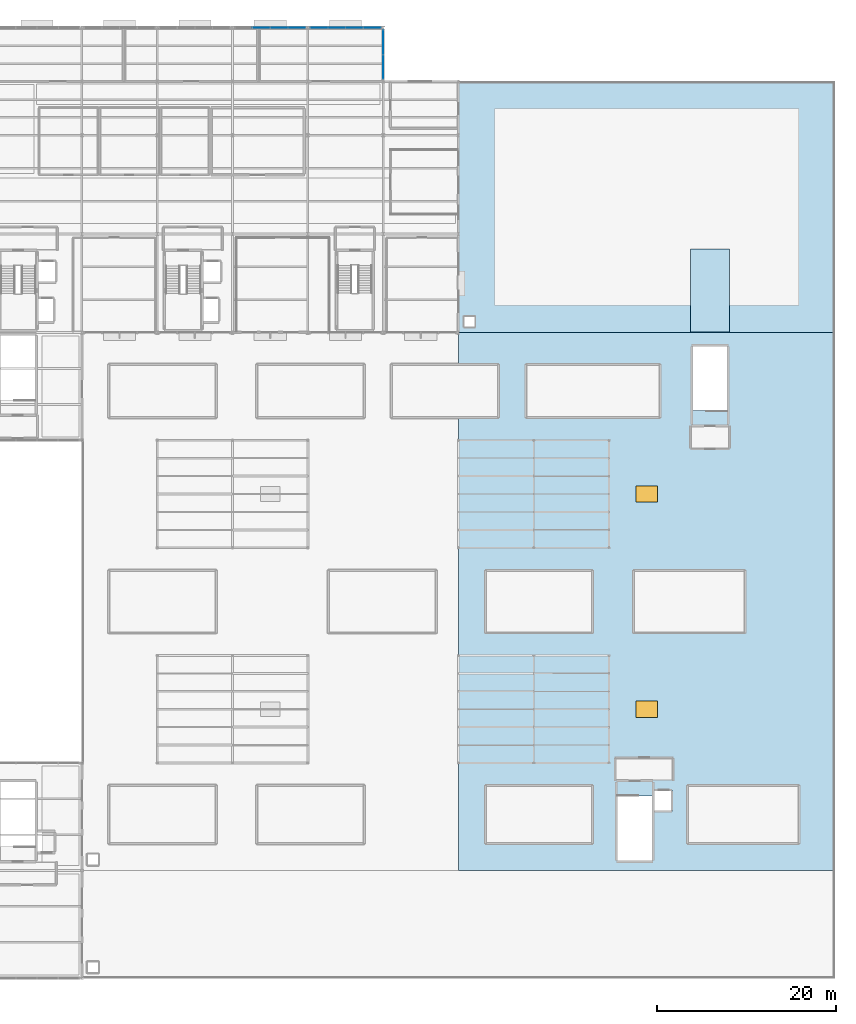
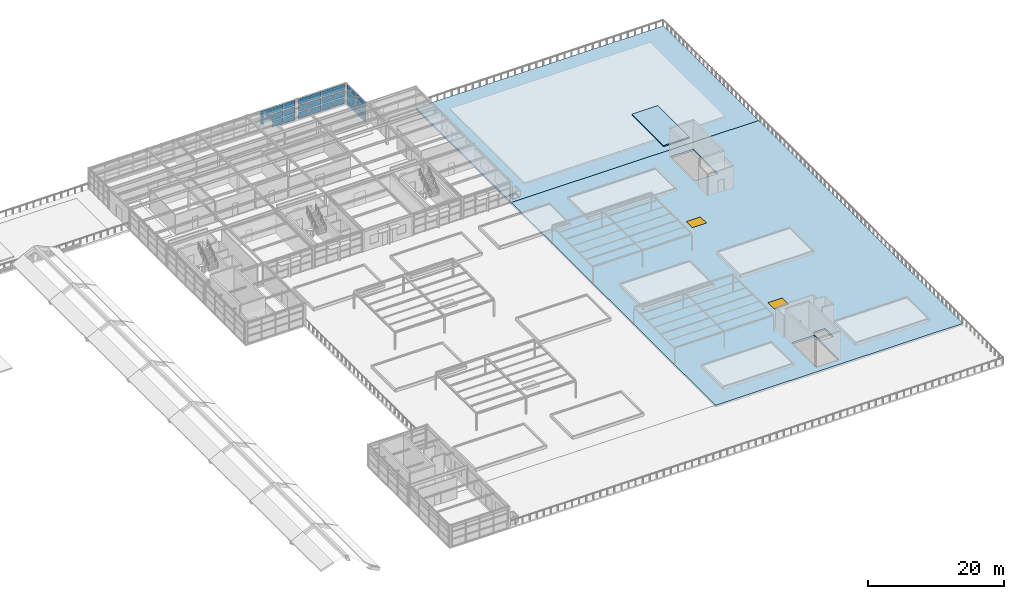
# One storey, part 35 of 49: 26 plates, 3 slabs, 2 windows, 2 openings, 3 elements without a shape of their own.
"""IFC4 building model written with IfcOpenShell, lengths in metres."""

from ifc_helpers import new_model, si_unit, direction, frame, origin, origin_2d, place, context, subcontext, project, spatial, polyline, rectangle, outline, extrude, material, layer, layer_set, type_object, element, fill, aggregate, save


model = new_model("IFC4")

# Units and contexts
model_context = context("Model", 3, precision=1e-05, world=origin(), true_north=direction((0.0, 1.0)))
body_context = subcontext(model_context, "Body", "Model", "MODEL_VIEW")
ifc_project = project(units=[si_unit("LENGTHUNIT", "METRE"), si_unit("AREAUNIT", "SQUARE_METRE"), si_unit("VOLUMEUNIT", "CUBIC_METRE"), si_unit("PLANEANGLEUNIT", "RADIAN"), si_unit("MASSUNIT", "GRAM", prefix="KILO")], contexts=[model_context])

# Site, building, storey
site_placement = place(None, origin())
site = spatial("IfcSite", under=ifc_project, at=site_placement, CompositionType="ELEMENT")
building_placement = place(site_placement, origin())
building = spatial("IfcBuilding", under=site, at=building_placement, Name="Sitalva Quay Ferry Terminal", CompositionType="ELEMENT")
storey_placement = place(building_placement, frame((0.0, 0.0, 10.199951171875)))
storey = spatial("IfcBuildingStorey", under=building, at=storey_placement, Name="L03", CompositionType="ELEMENT", Elevation=10.199951171875)

# Curtain wall, plates
ifc_material_1 = material(Name="Anodised Aluminium & Low-E Glazing", Category="aluminium")
ifc_layer_1 = layer(ifc_material_1, 0.159912109375)
ifc_layer_set_1 = layer_set([ifc_layer_1], Name="Anodised Aluminium & Low-E Glazing")
curtain_wall_type = type_object("IfcCurtainWallType", Name="CW_Office_Unitised", PredefinedType="USERDEFINED", material=ifc_layer_set_1)
curtain_wall_1_placement = place(storey_placement, origin())
curtain_wall_1 = element("IfcCurtainWall", 1, at=curtain_wall_1_placement, inside=storey, type_object=curtain_wall_type, Name="L03 forecourt east return glazing (CW-L03-131)", ObjectType="CURTAIN_WALL", PredefinedType="USERDEFINED")
ifc_material_2 = material(Name="Solar-Control Low-E Glazing", Category="glass")
ifc_layer_2 = layer(ifc_material_2, 0.031982421875)
ifc_layer_set_2 = layer_set([ifc_layer_2], Name="Solar-Control Low-E Glazing")
plate_type_1 = type_object("IfcPlateType", Name="Panel_Solar_IGU_32", PredefinedType="CURTAIN_PANEL", material=ifc_layer_set_2)
plate_1_placement = place(storey_placement, frame((117.60009765625, 107.6298828125, 0.150146484375), z_axis=(0.0, 0.0, 1.0), x_axis=(0.0, 1.0, 0.0)))
plate_1 = element("IfcPlate", 2, at=plate_1_placement, type_object=plate_type_1, Name="CW-L03-131-P0-0", PredefinedType="CURTAIN_PANEL", context=body_context, shape_type="SweptSolid", body=[
    extrude(rectangle(XDim=2.6650390625, YDim=0.031982421875, at=origin_2d()), origin(), (0.0, 0.0, 1.0), 1.13330078125),
])
plate_2_placement = place(storey_placement, frame((117.60009765625, 107.6298828125, 1.433349609375), z_axis=(0.0, 0.0, 1.0), x_axis=(0.0, 1.0, 0.0)))
plate_2 = element("IfcPlate", 3, at=plate_2_placement, type_object=plate_type_1, Name="CW-L03-131-P0-1", PredefinedType="CURTAIN_PANEL", context=body_context, shape_type="SweptSolid", body=[
    extrude(rectangle(XDim=2.6650390625, YDim=0.031982421875, at=origin_2d()), origin(), (0.0, 0.0, 1.0), 1.13330078125),
])
plate_3_placement = place(storey_placement, frame((117.60009765625, 107.6298828125, 2.716796875), z_axis=(0.0, 0.0, 1.0), x_axis=(0.0, 1.0, 0.0)))
plate_3 = element("IfcPlate", 4, at=plate_3_placement, type_object=plate_type_1, Name="CW-L03-131-P0-2", PredefinedType="CURTAIN_PANEL", context=body_context, shape_type="SweptSolid", body=[
    extrude(rectangle(XDim=2.6650390625, YDim=0.031982421875, at=origin_2d()), origin(), (0.0, 0.0, 1.0), 0.9833984375),
])
plate_4_placement = place(storey_placement, frame((117.60009765625, 110.3701171875, 0.150146484375), z_axis=(0.0, 0.0, 1.0), x_axis=(0.0, 1.0, 0.0)))
plate_4 = element("IfcPlate", 5, at=plate_4_placement, type_object=plate_type_1, Name="CW-L03-131-P1-0", PredefinedType="CURTAIN_PANEL", context=body_context, shape_type="SweptSolid", body=[
    extrude(rectangle(XDim=2.6650390625, YDim=0.031982421875, at=origin_2d()), origin(), (0.0, 0.0, 1.0), 1.13330078125),
])
plate_5_placement = place(storey_placement, frame((117.60009765625, 110.3701171875, 1.433349609375), z_axis=(0.0, 0.0, 1.0), x_axis=(0.0, 1.0, 0.0)))
plate_5 = element("IfcPlate", 6, at=plate_5_placement, type_object=plate_type_1, Name="CW-L03-131-P1-1", PredefinedType="CURTAIN_PANEL", context=body_context, shape_type="SweptSolid", body=[
    extrude(rectangle(XDim=2.6650390625, YDim=0.031982421875, at=origin_2d()), origin(), (0.0, 0.0, 1.0), 1.13330078125),
])
plate_6_placement = place(storey_placement, frame((117.60009765625, 110.3701171875, 2.716796875), z_axis=(0.0, 0.0, 1.0), x_axis=(0.0, 1.0, 0.0)))
plate_6 = element("IfcPlate", 7, at=plate_6_placement, type_object=plate_type_1, Name="CW-L03-131-P1-2", PredefinedType="CURTAIN_PANEL", context=body_context, shape_type="SweptSolid", body=[
    extrude(rectangle(XDim=2.6650390625, YDim=0.031982421875, at=origin_2d()), origin(), (0.0, 0.0, 1.0), 0.9833984375),
])
aggregate(curtain_wall_1, [plate_1, plate_2, plate_3, plate_4, plate_5, plate_6])

curtain_wall_2_placement = place(storey_placement, origin())
curtain_wall_2 = element("IfcCurtainWall", 8, at=curtain_wall_2_placement, inside=storey, type_object=curtain_wall_type, Name="L03 maritime admin north glazing (CW-L03-135)", ObjectType="CURTAIN_WALL", PredefinedType="USERDEFINED")
plate_7_placement = place(storey_placement, frame((104.014892578125, 112.0, 1.433349609375), z_axis=(0.0, 0.0, 1.0), x_axis=(1.0, 0.0, 0.0)))
plate_7 = element("IfcPlate", 9, at=plate_7_placement, type_object=plate_type_1, Name="CW-L03-135-P1-1", PredefinedType="CURTAIN_PANEL", context=body_context, shape_type="SweptSolid", body=[
    extrude(rectangle(XDim=1.89501953125, YDim=0.031982421875, at=origin_2d()), origin(), (0.0, 0.0, 1.0), 1.13330078125),
])
plate_8_placement = place(storey_placement, frame((104.014892578125, 112.0, 2.716796875), z_axis=(0.0, 0.0, 1.0), x_axis=(1.0, 0.0, 0.0)))
plate_8 = element("IfcPlate", 10, at=plate_8_placement, type_object=plate_type_1, Name="CW-L03-135-P1-2", PredefinedType="CURTAIN_PANEL", context=body_context, shape_type="SweptSolid", body=[
    extrude(rectangle(XDim=1.89501953125, YDim=0.031982421875, at=origin_2d()), origin(), (0.0, 0.0, 1.0), 0.9833984375),
])
plate_9_placement = place(storey_placement, frame((105.985107421875, 112.0, 1.433349609375), z_axis=(0.0, 0.0, 1.0), x_axis=(1.0, 0.0, 0.0)))
plate_9 = element("IfcPlate", 11, at=plate_9_placement, type_object=plate_type_1, Name="CW-L03-135-P2-1", PredefinedType="CURTAIN_PANEL", context=body_context, shape_type="SweptSolid", body=[
    extrude(rectangle(XDim=1.89501953125, YDim=0.031982421875, at=origin_2d()), origin(), (0.0, 0.0, 1.0), 1.13330078125),
])
plate_10_placement = place(storey_placement, frame((105.985107421875, 112.0, 2.716796875), z_axis=(0.0, 0.0, 1.0), x_axis=(1.0, 0.0, 0.0)))
plate_10 = element("IfcPlate", 12, at=plate_10_placement, type_object=plate_type_1, Name="CW-L03-135-P2-2", PredefinedType="CURTAIN_PANEL", context=body_context, shape_type="SweptSolid", body=[
    extrude(rectangle(XDim=1.89501953125, YDim=0.031982421875, at=origin_2d()), origin(), (0.0, 0.0, 1.0), 0.9833984375),
])
plate_11_placement = place(storey_placement, frame((107.955078125, 112.0, 1.433349609375), z_axis=(0.0, 0.0, 1.0), x_axis=(1.0, 0.0, 0.0)))
plate_11 = element("IfcPlate", 13, at=plate_11_placement, type_object=plate_type_1, Name="CW-L03-135-P3-1", PredefinedType="CURTAIN_PANEL", context=body_context, shape_type="SweptSolid", body=[
    extrude(rectangle(XDim=1.89501953125, YDim=0.031982421875, at=origin_2d()), origin(), (0.0, 0.0, 1.0), 1.13330078125),
])
plate_12_placement = place(storey_placement, frame((107.955078125, 112.0, 2.716796875), z_axis=(0.0, 0.0, 1.0), x_axis=(1.0, 0.0, 0.0)))
plate_12 = element("IfcPlate", 14, at=plate_12_placement, type_object=plate_type_1, Name="CW-L03-135-P3-2", PredefinedType="CURTAIN_PANEL", context=body_context, shape_type="SweptSolid", body=[
    extrude(rectangle(XDim=1.89501953125, YDim=0.031982421875, at=origin_2d()), origin(), (0.0, 0.0, 1.0), 0.9833984375),
])

curtain_wall_3_placement = place(storey_placement, origin())
curtain_wall_3 = element("IfcCurtainWall", 15, at=curtain_wall_3_placement, inside=storey, type_object=curtain_wall_type, Name="L03 maritime admin north glazing (CW-L03-136)", ObjectType="CURTAIN_WALL", PredefinedType="USERDEFINED")
plate_13_placement = place(storey_placement, frame((110.445068359375, 112.0, 1.433349609375), z_axis=(0.0, 0.0, 1.0), x_axis=(1.0, 0.0, 0.0)))
plate_13 = element("IfcPlate", 16, at=plate_13_placement, type_object=plate_type_1, Name="CW-L03-136-P0-1", PredefinedType="CURTAIN_PANEL", context=body_context, shape_type="SweptSolid", body=[
    extrude(rectangle(XDim=1.89501953125, YDim=0.031982421875, at=origin_2d()), origin(), (0.0, 0.0, 1.0), 1.13330078125),
])
plate_14_placement = place(storey_placement, frame((110.445068359375, 112.0, 2.716796875), z_axis=(0.0, 0.0, 1.0), x_axis=(1.0, 0.0, 0.0)))
plate_14 = element("IfcPlate", 17, at=plate_14_placement, type_object=plate_type_1, Name="CW-L03-136-P0-2", PredefinedType="CURTAIN_PANEL", context=body_context, shape_type="SweptSolid", body=[
    extrude(rectangle(XDim=1.89501953125, YDim=0.031982421875, at=origin_2d()), origin(), (0.0, 0.0, 1.0), 0.9833984375),
])
plate_15_placement = place(storey_placement, frame((112.4150390625, 112.0, 1.433349609375), z_axis=(0.0, 0.0, 1.0), x_axis=(1.0, 0.0, 0.0)))
plate_15 = element("IfcPlate", 18, at=plate_15_placement, type_object=plate_type_1, Name="CW-L03-136-P1-1", PredefinedType="CURTAIN_PANEL", context=body_context, shape_type="SweptSolid", body=[
    extrude(rectangle(XDim=1.89501953125, YDim=0.031982421875, at=origin_2d()), origin(), (0.0, 0.0, 1.0), 1.13330078125),
])
plate_16_placement = place(storey_placement, frame((112.4150390625, 112.0, 2.716796875), z_axis=(0.0, 0.0, 1.0), x_axis=(1.0, 0.0, 0.0)))
plate_16 = element("IfcPlate", 19, at=plate_16_placement, type_object=plate_type_1, Name="CW-L03-136-P1-2", PredefinedType="CURTAIN_PANEL", context=body_context, shape_type="SweptSolid", body=[
    extrude(rectangle(XDim=1.89501953125, YDim=0.031982421875, at=origin_2d()), origin(), (0.0, 0.0, 1.0), 0.9833984375),
])
plate_17_placement = place(storey_placement, frame((114.385009765625, 112.0, 1.433349609375), z_axis=(0.0, 0.0, 1.0), x_axis=(1.0, 0.0, 0.0)))
plate_17 = element("IfcPlate", 20, at=plate_17_placement, type_object=plate_type_1, Name="CW-L03-136-P2-1", PredefinedType="CURTAIN_PANEL", context=body_context, shape_type="SweptSolid", body=[
    extrude(rectangle(XDim=1.89501953125, YDim=0.031982421875, at=origin_2d()), origin(), (0.0, 0.0, 1.0), 1.13330078125),
])
plate_18_placement = place(storey_placement, frame((114.385009765625, 112.0, 2.716796875), z_axis=(0.0, 0.0, 1.0), x_axis=(1.0, 0.0, 0.0)))
plate_18 = element("IfcPlate", 21, at=plate_18_placement, type_object=plate_type_1, Name="CW-L03-136-P2-2", PredefinedType="CURTAIN_PANEL", context=body_context, shape_type="SweptSolid", body=[
    extrude(rectangle(XDim=1.89501953125, YDim=0.031982421875, at=origin_2d()), origin(), (0.0, 0.0, 1.0), 0.9833984375),
])
plate_19_placement = place(storey_placement, frame((116.35498046875, 112.0, 1.433349609375), z_axis=(0.0, 0.0, 1.0), x_axis=(1.0, 0.0, 0.0)))
plate_19 = element("IfcPlate", 22, at=plate_19_placement, type_object=plate_type_1, Name="CW-L03-136-P3-1", PredefinedType="CURTAIN_PANEL", context=body_context, shape_type="SweptSolid", body=[
    extrude(rectangle(XDim=1.89501953125, YDim=0.031982421875, at=origin_2d()), origin(), (0.0, 0.0, 1.0), 1.13330078125),
])
plate_20_placement = place(storey_placement, frame((116.35498046875, 112.0, 2.716796875), z_axis=(0.0, 0.0, 1.0), x_axis=(1.0, 0.0, 0.0)))
plate_20 = element("IfcPlate", 23, at=plate_20_placement, type_object=plate_type_1, Name="CW-L03-136-P3-2", PredefinedType="CURTAIN_PANEL", context=body_context, shape_type="SweptSolid", body=[
    extrude(rectangle(XDim=1.89501953125, YDim=0.031982421875, at=origin_2d()), origin(), (0.0, 0.0, 1.0), 0.9833984375),
])

# Plate
ifc_material_3 = material(Name="Insulated Spandrel Cassette", Category="aluminium")
ifc_layer_3 = layer(ifc_material_3, 0.0400390625)
ifc_layer_set_3 = layer_set([ifc_layer_3], Name="Insulated Spandrel Cassette")
plate_type_2 = type_object("IfcPlateType", Name="Panel_Spandrel_Alu_40", PredefinedType="CURTAIN_PANEL", material=ifc_layer_set_3)
plate_21_placement = place(storey_placement, frame((105.985107421875, 112.0, 0.150146484375), z_axis=(0.0, 0.0, 1.0), x_axis=(1.0, 0.0, 0.0)))
plate_21 = element("IfcPlate", 24, at=plate_21_placement, type_object=plate_type_2, Name="CW-L03-135-P2-0", PredefinedType="CURTAIN_PANEL", context=body_context, shape_type="SweptSolid", body=[
    extrude(rectangle(XDim=1.89501953125, YDim=0.0400390625, at=origin_2d()), origin(), (0.0, 0.0, 1.0), 1.13330078125),
])

plate_22_placement = place(storey_placement, frame((107.955078125, 112.0, 0.150146484375), z_axis=(0.0, 0.0, 1.0), x_axis=(1.0, 0.0, 0.0)))
plate_22 = element("IfcPlate", 25, at=plate_22_placement, type_object=plate_type_2, Name="CW-L03-135-P3-0", PredefinedType="CURTAIN_PANEL", context=body_context, shape_type="SweptSolid", body=[
    extrude(rectangle(XDim=1.89501953125, YDim=0.0400390625, at=origin_2d()), origin(), (0.0, 0.0, 1.0), 1.13330078125),
])

aggregate(curtain_wall_2, [plate_7, plate_8, plate_21, plate_9, plate_10, plate_22, plate_11, plate_12])

plate_23_placement = place(storey_placement, frame((110.445068359375, 112.0, 0.150146484375), z_axis=(0.0, 0.0, 1.0), x_axis=(1.0, 0.0, 0.0)))
plate_23 = element("IfcPlate", 26, at=plate_23_placement, type_object=plate_type_2, Name="CW-L03-136-P0-0", PredefinedType="CURTAIN_PANEL", context=body_context, shape_type="SweptSolid", body=[
    extrude(rectangle(XDim=1.89501953125, YDim=0.0400390625, at=origin_2d()), origin(), (0.0, 0.0, 1.0), 1.13330078125),
])

plate_24_placement = place(storey_placement, frame((112.4150390625, 112.0, 0.150146484375), z_axis=(0.0, 0.0, 1.0), x_axis=(1.0, 0.0, 0.0)))
plate_24 = element("IfcPlate", 27, at=plate_24_placement, type_object=plate_type_2, Name="CW-L03-136-P1-0", PredefinedType="CURTAIN_PANEL", context=body_context, shape_type="SweptSolid", body=[
    extrude(rectangle(XDim=1.89501953125, YDim=0.0400390625, at=origin_2d()), origin(), (0.0, 0.0, 1.0), 1.13330078125),
])

plate_25_placement = place(storey_placement, frame((114.385009765625, 112.0, 0.150146484375), z_axis=(0.0, 0.0, 1.0), x_axis=(1.0, 0.0, 0.0)))
plate_25 = element("IfcPlate", 28, at=plate_25_placement, type_object=plate_type_2, Name="CW-L03-136-P2-0", PredefinedType="CURTAIN_PANEL", context=body_context, shape_type="SweptSolid", body=[
    extrude(rectangle(XDim=1.89501953125, YDim=0.0400390625, at=origin_2d()), origin(), (0.0, 0.0, 1.0), 1.13330078125),
])

plate_26_placement = place(storey_placement, frame((116.35498046875, 112.0, 0.150146484375), z_axis=(0.0, 0.0, 1.0), x_axis=(1.0, 0.0, 0.0)))
plate_26 = element("IfcPlate", 29, at=plate_26_placement, type_object=plate_type_2, Name="CW-L03-136-P3-0", PredefinedType="CURTAIN_PANEL", context=body_context, shape_type="SweptSolid", body=[
    extrude(rectangle(XDim=1.89501953125, YDim=0.0400390625, at=origin_2d()), origin(), (0.0, 0.0, 1.0), 1.13330078125),
])

aggregate(curtain_wall_3, [plate_23, plate_13, plate_14, plate_24, plate_15, plate_16, plate_25, plate_17, plate_18, plate_26, plate_19, plate_20])

# Slab
ifc_material_4 = material(Name="Concrete C35/45", Category="concrete")
ifc_layer_4 = layer(ifc_material_4, 0.2099609375)
ifc_layer_set_4 = layer_set([ifc_layer_4], Name="Concrete C35/45")
slab_type_1 = type_object("IfcSlabType", Name="Slab_HeadhouseRoof_210", PredefinedType="ROOF", material=ifc_layer_set_4)
slab_1_placement = place(storey_placement, frame((0.0, 0.0, 0.900146484375)))
element("IfcSlab", 30, at=slab_1_placement, inside=storey, type_object=slab_type_1, Name="Core C10 stair headhouse roof slab", PredefinedType="ROOF", context=body_context, shape_type="SweptSolid", body=[
    extrude(outline(polyline([(151.85009765625, 78.050048828125), (156.25, 78.050048828125), (156.25, 87.35009765625), (151.85009765625, 87.35009765625), (151.85009765625, 78.050048828125)])), origin(), (0.0, 0.0, 1.0), 0.2099609375),
])

# Slab, openings, windows
ifc_material_5 = material(Name="Concrete C35/45", Category="concrete")
ifc_layer_5 = layer(ifc_material_5, 0.35009765625)
ifc_layer_set_5 = layer_set([ifc_layer_5], Name="Concrete C35/45")
slab_type_2 = type_object("IfcSlabType", Name="Slab_RoofGarden_350", PredefinedType="ROOF", material=ifc_layer_set_5)
slab_2_placement = place(storey_placement, frame((0.0, 0.0, -0.349853515625)))
slab_2 = element("IfcSlab", 31, at=slab_2_placement, inside=storey, type_object=slab_type_2, Name="L03 East pier roof garden east 054", PredefinedType="ROOF", context=body_context, shape_type="SweptSolid", body=[
    extrude(outline(polyline([(126.0, 18.0), (168.0, 18.0), (168.0, 78.0), (126.0, 78.0), (126.0, 18.0)]), holes=[polyline([(143.739990234375, 19.139892578125), (143.739990234375, 26.300048828125), (147.56005859375, 26.300048828125), (147.56005859375, 19.139892578125), (143.739990234375, 19.139892578125)]), polyline([(147.699951171875, 24.60009765625), (147.699951171875, 27.0), (149.800048828125, 27.0), (149.800048828125, 24.60009765625), (147.699951171875, 24.60009765625)]), polyline([(152.139892578125, 69.300048828125), (152.139892578125, 76.4599609375), (155.9599609375, 76.4599609375), (155.9599609375, 69.300048828125), (152.139892578125, 69.300048828125)])]), origin(), (0.0, 0.0, 1.0), 0.349853515625),
])
opening_1_placement = place(slab_2_placement, frame((147.0, 36.0, 0.0)))
opening_1 = element("IfcOpeningElement", 32, at=opening_1_placement, cuts=slab_2, Name="Opening SK-11", PredefinedType="OPENING", context=body_context, shape_type="SweptSolid", body=[
    extrude(rectangle(XDim=2.39990234375, YDim=1.800048828125, at=origin_2d()), frame((0.0, 0.0, -0.010009765625)), (0.0, 0.0, 1.0), 0.369873046875),
])
opening_2_placement = place(slab_2_placement, frame((147.0, 60.0, 0.0)))
opening_2 = element("IfcOpeningElement", 33, at=opening_2_placement, cuts=slab_2, Name="Opening SK-12", PredefinedType="OPENING", context=body_context, shape_type="SweptSolid", body=[
    extrude(rectangle(XDim=2.39990234375, YDim=1.800048828125, at=origin_2d()), frame((0.0, 0.0, -0.010009765625)), (0.0, 0.0, 1.0), 0.369873046875),
])
ifc_material_6 = material(Name="Laminated Daylight Roof Lantern", Category="glass")
window_type = type_object("IfcWindowType", Name="Skylight_Canopy_2400x1800", PartitioningType="SINGLE_PANEL", PredefinedType="SKYLIGHT", material=ifc_material_6)
window_1_placement = place(opening_1_placement, frame((0.0, 0.0, 0.2998046875)))
window_1 = element("IfcWindow", 34, at=window_1_placement, inside=storey, type_object=window_type, Name="Roof daylight skylight SK-11", OverallHeight=1.800048828125, OverallWidth=2.39990234375, PartitioningType="SINGLE_PANEL", PredefinedType="SKYLIGHT", context=body_context, shape_type="SweptSolid", body=[
    extrude(rectangle(XDim=2.39990234375, YDim=1.800048828125, at=origin_2d()), origin(), (0.0, 0.0, 1.0), 0.050048828125),
])
fill(opening_1, window_1)
window_2_placement = place(opening_2_placement, frame((0.0, 0.0, 0.2998046875)))
window_2 = element("IfcWindow", 35, at=window_2_placement, inside=storey, type_object=window_type, Name="Roof daylight skylight SK-12", OverallHeight=1.800048828125, OverallWidth=2.39990234375, PartitioningType="SINGLE_PANEL", PredefinedType="SKYLIGHT", context=body_context, shape_type="SweptSolid", body=[
    extrude(rectangle(XDim=2.39990234375, YDim=1.800048828125, at=origin_2d()), origin(), (0.0, 0.0, 1.0), 0.050048828125),
])
fill(opening_2, window_2)

# Slab
slab_3_placement = place(storey_placement, frame((0.0, 0.0, -0.349853515625)))
element("IfcSlab", 36, at=slab_3_placement, inside=storey, type_object=slab_type_2, Name="L03 Far-east wing L03 planted roof terrace 057", PredefinedType="ROOF", context=body_context, shape_type="SweptSolid", body=[
    extrude(outline(polyline([(126.0, 78.0), (168.0, 78.0), (168.0, 106.0), (126.0, 106.0), (126.0, 78.0)]), holes=[polyline([(126.64990234375, 78.64990234375), (126.64990234375, 79.800048828125), (127.800048828125, 79.800048828125), (127.800048828125, 78.64990234375), (126.64990234375, 78.64990234375)])]), origin(), (0.0, 0.0, 1.0), 0.349853515625),
])

save(model, "model.ifc")
